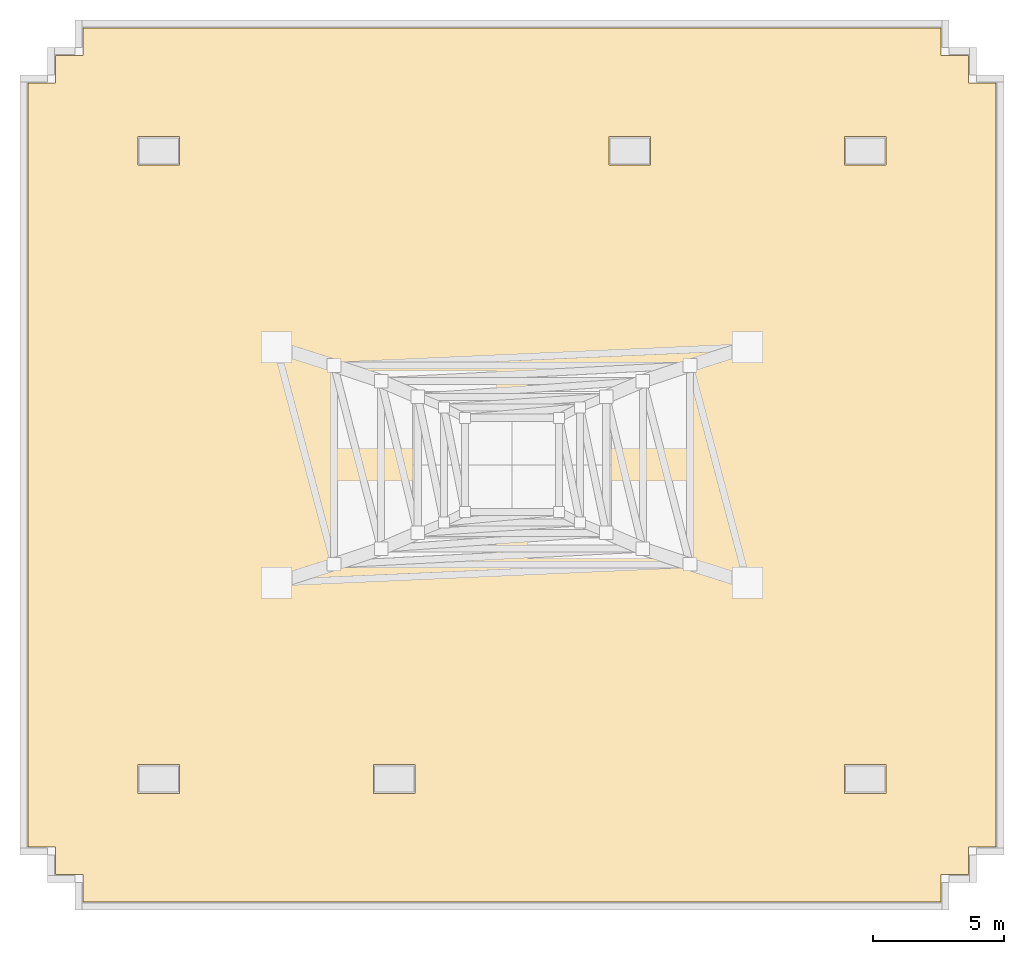
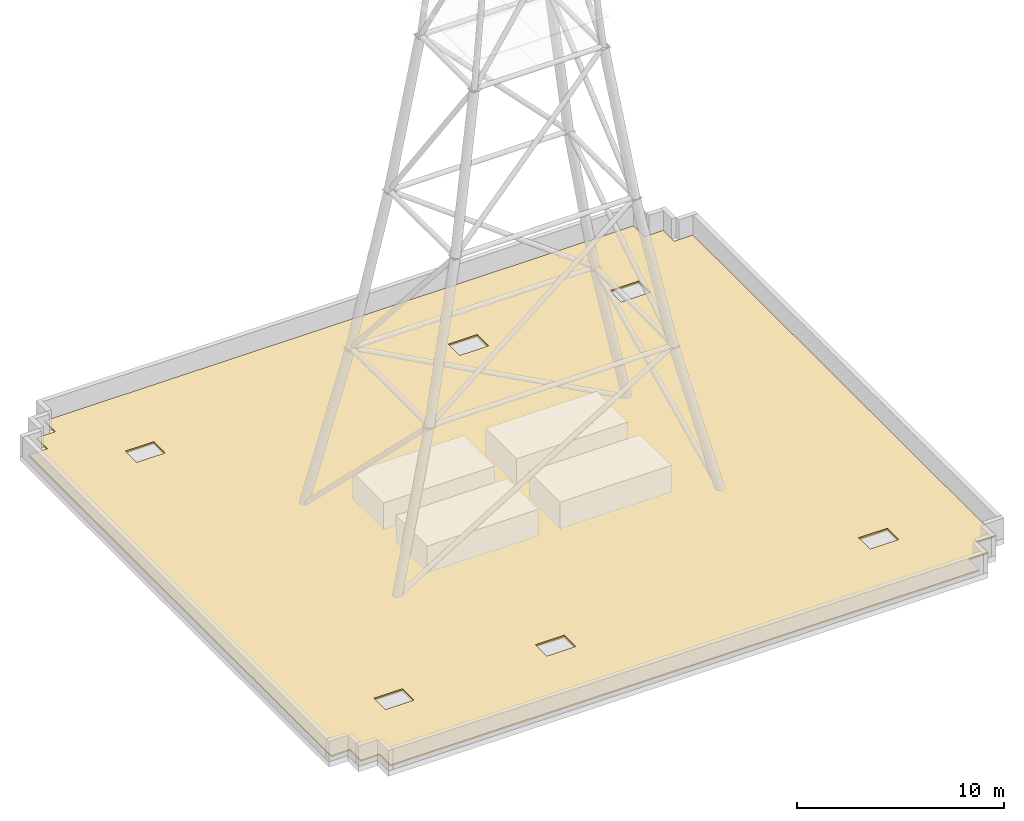
# One storey, part 3 of 3: 1 covering.
"""IFC4 building model written with IfcOpenShell, lengths in metres."""

from ifc_helpers import new_model, si_unit, direction, frame, origin, place, context, subcontext, project, spatial, polyline, outline, extrude, material, layer, layer_set, type_object, element, save


model = new_model("IFC4")

# Units and contexts
model_context = context("Model", 3, precision=1e-05, world=origin(), true_north=direction((0.0, 1.0)))
body_context = subcontext(model_context, "Body", "Model", "MODEL_VIEW")
ifc_project = project(units=[si_unit("LENGTHUNIT", "METRE"), si_unit("AREAUNIT", "SQUARE_METRE"), si_unit("VOLUMEUNIT", "CUBIC_METRE"), si_unit("PLANEANGLEUNIT", "RADIAN"), si_unit("MASSUNIT", "GRAM", prefix="KILO")], contexts=[model_context])

# Site, building, storey
site_placement = place(None, origin())
site = spatial("IfcSite", under=ifc_project, at=site_placement, CompositionType="ELEMENT")
building_placement = place(site_placement, origin())
building = spatial("IfcBuilding", under=site, at=building_placement, Name="Nuvemarco Arch Tower", CompositionType="ELEMENT")
storey_placement = place(building_placement, frame((0.0, 0.0, 311.14990234375)))
storey = spatial("IfcBuildingStorey", under=building, at=storey_placement, Name="RF", CompositionType="ELEMENT", Elevation=311.14990234375)

# Covering
ifc_material = material(Name="Elastomeric roofing membrane and insulation")
ifc_layer = layer(ifc_material, 0.080078125, Name="COV-ROOF-MEMB")
ifc_layer_set = layer_set([ifc_layer], Name="Elastomeric roofing membrane and insulation")
covering_type = type_object("IfcCoveringType", Name="COV-ROOF-MEMB", PredefinedType="ROOFING", material=ifc_layer_set)
covering_placement = place(storey_placement, origin())
element("IfcCovering", 1, at=covering_placement, inside=storey, type_object=covering_type, Name="Main roof elastomeric membrane and insulation", PredefinedType="ROOFING", context=body_context, shape_type="SweptSolid", body=[
    extrude(outline(polyline([(-16.39990234375, -16.699951171875), (-16.39990234375, -15.64990234375), (-17.449951171875, -15.64990234375), (-17.449951171875, -14.60009765625), (-18.5, -14.60009765625), (-18.5, 14.60009765625), (-17.449951171875, 14.60009765625), (-17.449951171875, 15.64990234375), (-16.39990234375, 15.64990234375), (-16.39990234375, 16.699951171875), (16.39990234375, 16.699951171875), (16.39990234375, 15.64990234375), (17.449951171875, 15.64990234375), (17.449951171875, 14.60009765625), (18.5, 14.60009765625), (18.5, -14.60009765625), (17.449951171875, -14.60009765625), (17.449951171875, -15.64990234375), (16.39990234375, -15.64990234375), (16.39990234375, -16.699951171875), (-16.39990234375, -16.699951171875)]), holes=[polyline([(-14.300048828125, -12.550048828125), (-12.699951171875, -12.550048828125), (-12.699951171875, -11.449951171875), (-14.300048828125, -11.449951171875), (-14.300048828125, -12.550048828125)]), polyline([(12.699951171875, -12.550048828125), (14.300048828125, -12.550048828125), (14.300048828125, -11.449951171875), (12.699951171875, -11.449951171875), (12.699951171875, -12.550048828125)]), polyline([(-14.300048828125, 11.449951171875), (-12.699951171875, 11.449951171875), (-12.699951171875, 12.550048828125), (-14.300048828125, 12.550048828125), (-14.300048828125, 11.449951171875)]), polyline([(12.699951171875, 11.449951171875), (14.300048828125, 11.449951171875), (14.300048828125, 12.550048828125), (12.699951171875, 12.550048828125), (12.699951171875, 11.449951171875)]), polyline([(-5.300048828125, -12.550048828125), (-3.699951171875, -12.550048828125), (-3.699951171875, -11.449951171875), (-5.300048828125, -11.449951171875), (-5.300048828125, -12.550048828125)]), polyline([(3.699951171875, 11.449951171875), (5.300048828125, 11.449951171875), (5.300048828125, 12.550048828125), (3.699951171875, 12.550048828125), (3.699951171875, 11.449951171875)])]), origin(), (0.0, 0.0, 1.0), 0.080078125),
])

save(model, "model.ifc")
